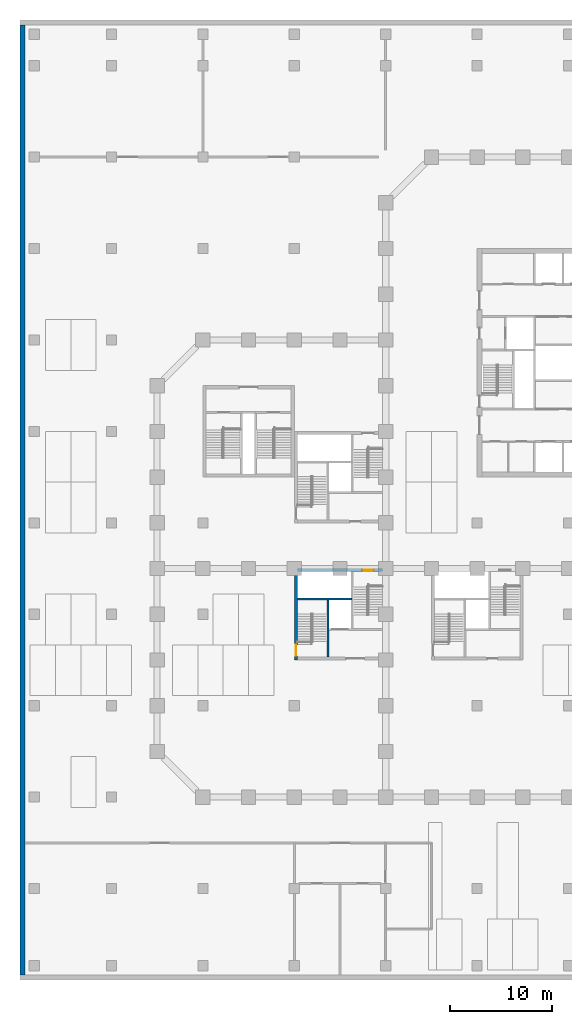
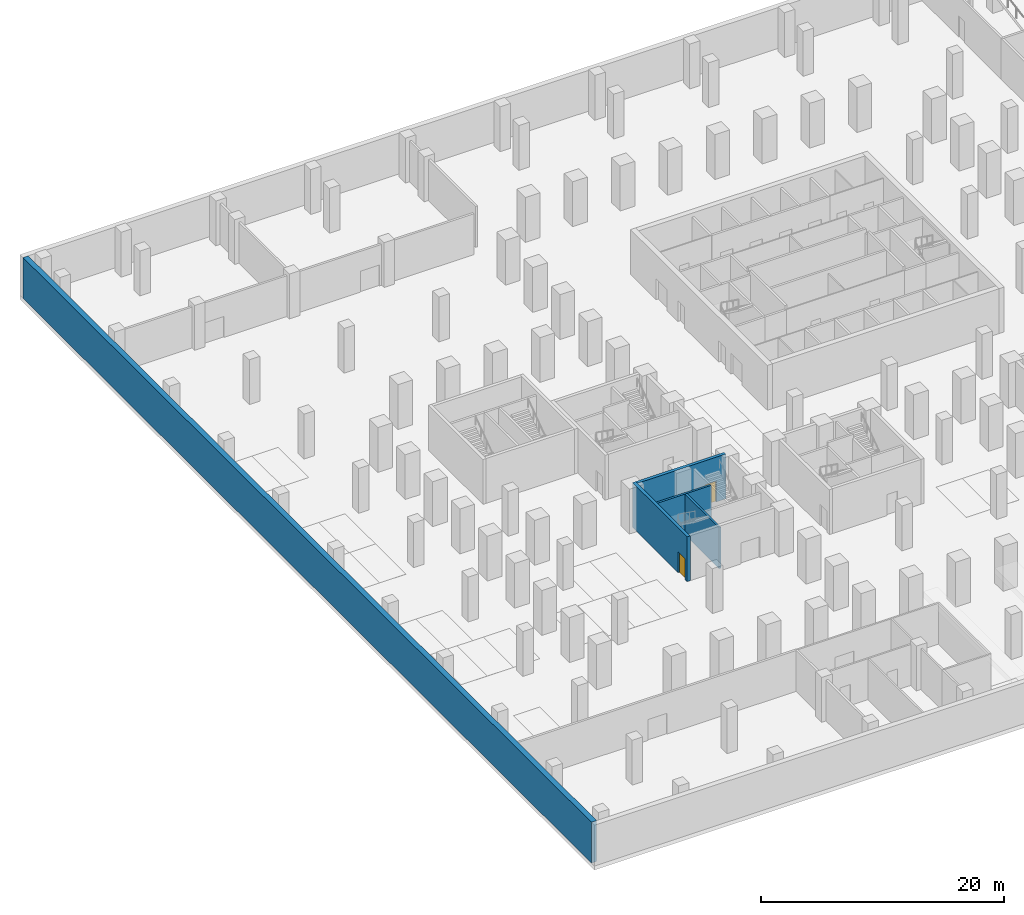
# One storey, part 7 of 16: 5 walls, 2 doors, 2 openings.
"""IFC4 building model written with IfcOpenShell, lengths in metres."""

from ifc_helpers import new_model, si_unit, direction, frame, frame_2d, origin, place, context, subcontext, project, spatial, rectangle, extrude, material, layer, layer_set, type_object, element, fill, save


model = new_model("IFC4")

# Units and contexts
model_context = context("Model", 3, precision=1e-05, world=origin(), true_north=direction((0.0, 1.0)))
body_context = subcontext(model_context, "Body", "Model", "MODEL_VIEW")
ifc_project = project(units=[si_unit("LENGTHUNIT", "METRE"), si_unit("AREAUNIT", "SQUARE_METRE"), si_unit("VOLUMEUNIT", "CUBIC_METRE"), si_unit("PLANEANGLEUNIT", "RADIAN"), si_unit("MASSUNIT", "GRAM", prefix="KILO")], contexts=[model_context])

# Site, building, storey
site_placement = place(None, origin())
site = spatial("IfcSite", under=ifc_project, at=site_placement, CompositionType="ELEMENT")
building_placement = place(site_placement, origin())
building = spatial("IfcBuilding", under=site, at=building_placement, Name="Quoin Convention Tower", CompositionType="ELEMENT")
storey_placement = place(building_placement, frame((0.0, 0.0, -4.5)))
storey = spatial("IfcBuildingStorey", under=building, at=storey_placement, Name="B1", CompositionType="ELEMENT", Elevation=-4.5)

# Walls
ifc_material_1 = material(Name="Concrete C50", Category="concrete")
ifc_layer_1 = layer(ifc_material_1, 0.199951171875)
ifc_layer_set_1 = layer_set([ifc_layer_1], Name="Concrete C50")
wall_type_1 = type_object("IfcWallType", Name="Core shaft wall", PredefinedType="SOLIDWALL", material=ifc_layer_set_1)
wall_1_placement = place(storey_placement, frame((27.300048828125, 37.5, 0.0), z_axis=(0.0, 0.0, 1.0), x_axis=(1.0, 0.0, 0.0)))
element("IfcWall", 1, at=wall_1_placement, inside=storey, type_object=wall_type_1, Name="cr-P4-B1-h6000_300", PredefinedType="SOLIDWALL", context=body_context, shape_type="SweptSolid", body=[
    extrude(rectangle(XDim=5.39990234375, YDim=0.199951171875, at=frame_2d((2.699951171875, 0.0))), origin(), (0.0, 0.0, 1.0), 4.10009765625),
])
wall_2_placement = place(storey_placement, frame((30.300048828125, 31.800048828125, 0.0), z_axis=(0.0, 0.0, 1.0), x_axis=(0.0, 1.0, 0.0)))
element("IfcWall", 2, at=wall_2_placement, inside=storey, type_object=wall_type_1, Name="cr-P4-B1-v3300_300", PredefinedType="SOLIDWALL", context=body_context, shape_type="SweptSolid", body=[
    extrude(rectangle(XDim=5.699951171875, YDim=0.199951171875, at=frame_2d((2.85009765625, 0.0))), origin(), (0.0, 0.0, 1.0), 4.10009765625),
])

# Wall, opening, door
ifc_material_2 = material(Name="Concrete C100 (100 MPa)", Category="concrete")
ifc_layer_2 = layer(ifc_material_2, 0.300048828125)
ifc_layer_set_2 = layer_set([ifc_layer_2], Name="Concrete C100 (100 MPa)")
wall_type_2 = type_object("IfcWallType", Name="RC CORE WALL 300 C100", PredefinedType="SHEAR", material=ifc_layer_set_2)
wall_3_placement = place(storey_placement, frame((27.300048828125, 40.35009765625, 0.0), z_axis=(0.0, 0.0, 1.0), x_axis=(1.0, 0.0, 0.0)))
wall_3 = element("IfcWall", 3, at=wall_3_placement, inside=storey, type_object=wall_type_2, Name="cwl-P4-B1-N", PredefinedType="SHEAR", context=body_context, shape_type="SweptSolid", body=[
    extrude(rectangle(XDim=8.39990234375, YDim=0.300048828125, at=frame_2d((4.199951171875, 0.0))), origin(), (0.0, 0.0, 1.0), 4.5),
])
opening_1_placement = place(wall_3_placement, frame((6.39990234375, 0.0, 0.0)))
opening_1 = element("IfcOpeningElement", 4, at=opening_1_placement, cuts=wall_3, Name="Opening SD8", PredefinedType="OPENING", context=body_context, shape_type="SweptSolid", body=[
    extrude(rectangle(XDim=1.10009765625, YDim=2.10009765625, at=frame_2d((0.550048828125, 1.050048828125))), frame((0.0, 0.159912109375, 0.0), z_axis=(0.0, -1.0, 0.0), x_axis=(1.0, 0.0, 0.0)), (0.0, 0.0, 1.0), 0.320068359375),
])
ifc_material_3 = material(Name="Steel door leaf", Category="steel")
door_type = type_object("IfcDoorType", Name="Stair door 1100 x 2100", OperationType="SINGLE_SWING_RIGHT", PredefinedType="DOOR", material=ifc_material_3)
door_1_placement = place(opening_1_placement, frame((1.10009765625, 0.0, 0.0), z_axis=(0.0, 0.0, 1.0), x_axis=(-1.0, 0.0, 0.0)))
door_1 = element("IfcDoor", 5, at=door_1_placement, inside=storey, type_object=door_type, Name="cd-P4-B1-SB-N", OperationType="SINGLE_SWING_LEFT", OverallHeight=2.10009765625, OverallWidth=1.10009765625, PredefinedType="DOOR", context=body_context, shape_type="SweptSolid", body=[
    extrude(rectangle(XDim=1.10009765625, YDim=2.10009765625, at=frame_2d((0.550048828125, 1.050048828125))), frame((0.0, 0.02490234375, 0.0), z_axis=(0.0, -1.0, 0.0), x_axis=(1.0, 0.0, 0.0)), (0.0, 0.0, 1.0), 0.050048828125),
])
fill(opening_1, door_1)

wall_4_placement = place(storey_placement, frame((27.14990234375, 31.5, 0.0), z_axis=(0.0, 0.0, 1.0), x_axis=(0.0, 1.0, 0.0)))
wall_4 = element("IfcWall", 6, at=wall_4_placement, inside=storey, type_object=wall_type_2, Name="cwl-P4-B1-W", PredefinedType="SHEAR", context=body_context, shape_type="SweptSolid", body=[
    extrude(rectangle(XDim=9.0, YDim=0.300048828125, at=frame_2d((4.5, 0.0))), origin(), (0.0, 0.0, 1.0), 4.5),
])
opening_2_placement = place(wall_4_placement, frame((0.39990234375, 0.0, 0.0)))
opening_2 = element("IfcOpeningElement", 7, at=opening_2_placement, cuts=wall_4, Name="Opening SD7", PredefinedType="OPENING", context=body_context, shape_type="SweptSolid", body=[
    extrude(rectangle(XDim=1.10009765625, YDim=2.10009765625, at=frame_2d((0.550048828125, 1.050048828125))), frame((0.0, 0.159912109375, 0.0), z_axis=(0.0, -1.0, 0.0), x_axis=(1.0, 0.0, 0.0)), (0.0, 0.0, 1.0), 0.320068359375),
])
door_2_placement = place(opening_2_placement, frame((1.10009765625, 0.0, 0.0), z_axis=(0.0, 0.0, 1.0), x_axis=(-1.0, 0.0, 0.0)))
door_2 = element("IfcDoor", 8, at=door_2_placement, inside=storey, type_object=door_type, Name="cd-P4-B1-SA-W", OperationType="SINGLE_SWING_RIGHT", OverallHeight=2.10009765625, OverallWidth=1.10009765625, PredefinedType="DOOR", context=body_context, shape_type="SweptSolid", body=[
    extrude(rectangle(XDim=1.10009765625, YDim=2.10009765625, at=frame_2d((0.550048828125, 1.050048828125))), frame((0.0, 0.02490234375, 0.0), z_axis=(0.0, -1.0, 0.0), x_axis=(1.0, 0.0, 0.0)), (0.0, 0.0, 1.0), 0.050048828125),
])
fill(opening_2, door_2)

# Wall
ifc_layer_3 = layer(ifc_material_1, 0.5)
ifc_layer_set_3 = layer_set([ifc_layer_3], Name="Concrete C50")
wall_type_3 = type_object("IfcWallType", Name="RC RETAINING WALL 500 C50", PredefinedType="SOLIDWALL", material=ifc_layer_set_3)
wall_5_placement = place(storey_placement, frame((0.25, 0.5, 0.0), z_axis=(0.0, 0.0, 1.0), x_axis=(0.0, 1.0, 0.0)))
element("IfcWall", 9, at=wall_5_placement, inside=storey, type_object=wall_type_3, Name="bsm-B1-W", PredefinedType="SOLIDWALL", context=body_context, shape_type="SweptSolid", body=[
    extrude(rectangle(XDim=93.5, YDim=0.5, at=frame_2d((46.75, 0.0))), origin(), (0.0, 0.0, 1.0), 4.10009765625),
])

save(model, "model.ifc")
